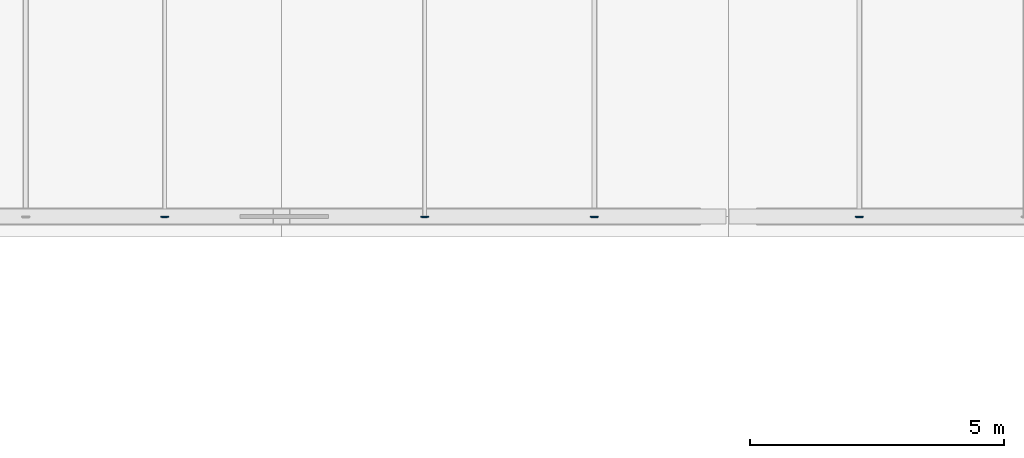
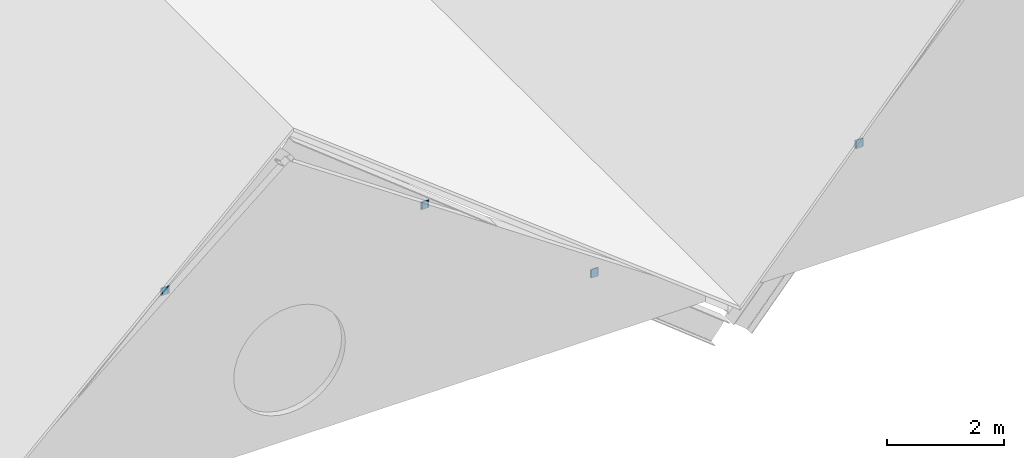
# One storey, part 41 of 64: 8 plates.
"""IFC4 building model written with IfcOpenShell, lengths in metres."""

from ifc_helpers import new_model, si_unit, direction, frame, origin, origin_2d, place, context, subcontext, project, spatial, rectangle, extrude, material, layer, layer_set, type_object, element, save


model = new_model("IFC4")

# Units and contexts
model_context = context("Model", 3, precision=1e-05, world=origin(), true_north=direction((0.0, 1.0)))
body_context = subcontext(model_context, "Body", "Model", "MODEL_VIEW")
ifc_project = project(units=[si_unit("LENGTHUNIT", "METRE"), si_unit("AREAUNIT", "SQUARE_METRE"), si_unit("VOLUMEUNIT", "CUBIC_METRE"), si_unit("PLANEANGLEUNIT", "RADIAN"), si_unit("MASSUNIT", "GRAM", prefix="KILO")], contexts=[model_context])

# Site, building, storey
site_placement = place(None, origin())
site = spatial("IfcSite", under=ifc_project, at=site_placement, CompositionType="ELEMENT")
building_placement = place(site_placement, origin())
building = spatial("IfcBuilding", under=site, at=building_placement, Name="Zhaolan Boulevard Law Courts", CompositionType="ELEMENT")
storey_placement = place(building_placement, frame((0.0, 0.0, 20.39990234375)))
storey = spatial("IfcBuildingStorey", under=building, at=storey_placement, Name="L04", CompositionType="ELEMENT", Elevation=20.39990234375)

# Plates
ifc_material = material(Name="Structural steel Q355B", Category="steel")
ifc_layer = layer(ifc_material, 0.02001953125)
ifc_layer_set = layer_set([ifc_layer])
plate_type = type_object("IfcPlateType", Name="END CAP PLATE 20", PredefinedType="SHEET", material=ifc_layer_set)
for number, where, z_axis, x_axis, name in (
    (1, (81.360107421875, 62.0, 1.376953125), (0.0, 0.0, 1.0), (1.0, 0.0, 0.0), "Purlin End-Cap Plate ECP-GPR2ES"),
    (2, (72.89599609375, 62.0, 3.9609375), (0.0, 0.0, 1.0), (1.0, 0.0, 0.0), "Purlin End-Cap Plate ECP-GPR2WS"),
    (3, (78.01611328125, 62.0, 3.9609375), (0.0, 0.0, 1.0), (1.0, 0.0, 0.0), "Purlin End-Cap Plate ECP-GPR2ES"),
    (4, (86.580078125, 62.0, 2.24609375), (0.0, 0.0, 1.0), (1.0, 0.0, 0.0), "Purlin End-Cap Plate ECP-GPR3WS"),
):
    element("IfcPlate", number, at=place(storey_placement, frame(where, z_axis=z_axis, x_axis=x_axis)), inside=storey, type_object=plate_type, Name=name, PredefinedType="SHEET", context=body_context, shape_type="SweptSolid", body=[
        extrude(rectangle(XDim=0.159912109375, YDim=0.02001953125, at=origin_2d()), origin(), (0.0, 0.0, 1.0), 0.159912109375),
    ])
plate_1_placement = place(storey_placement, frame((81.360107421875, 61.991943359375, 1.3671875), z_axis=(0.0, 0.0, 1.0), x_axis=(0.0, 1.0, 0.0)))
element("IfcPlate", 5, at=plate_1_placement, inside=storey, type_object=plate_type, Name="Hollow Section End-Cap Plate ECP-1435", PredefinedType="SHEET", context=body_context, shape_type="SweptSolid", body=[
    extrude(rectangle(XDim=0.02001953125, YDim=0.1298828125, at=origin_2d()), origin(), (0.0, 0.0, 1.0), 0.179931640625),
])
for number, where, z_axis, x_axis, name in (
    (6, (72.89599609375, 61.991943359375, 3.966064453125), (0.0, 0.0, 1.0), (0.0, 1.0, 0.0), "Hollow Section End-Cap Plate ECP-1437"),
    (7, (78.01611328125, 61.991943359375, 3.966064453125), (0.0, 0.0, 1.0), (0.0, 1.0, 0.0), "Hollow Section End-Cap Plate ECP-1439"),
):
    element("IfcPlate", number, at=place(storey_placement, frame(where, z_axis=z_axis, x_axis=x_axis)), inside=storey, type_object=plate_type, Name=name, PredefinedType="SHEET", context=body_context, shape_type="SweptSolid", body=[
        extrude(rectangle(XDim=0.02001953125, YDim=0.110107421875, at=origin_2d()), origin(), (0.0, 0.0, 1.0), 0.14990234375),
    ])
plate_2_placement = place(storey_placement, frame((86.580078125, 61.991943359375, 2.236328125), z_axis=(0.0, 0.0, 1.0), x_axis=(0.0, 1.0, 0.0)))
element("IfcPlate", 8, at=plate_2_placement, inside=storey, type_object=plate_type, Name="Hollow Section End-Cap Plate ECP-1441", PredefinedType="SHEET", context=body_context, shape_type="SweptSolid", body=[
    extrude(rectangle(XDim=0.02001953125, YDim=0.1298828125, at=origin_2d()), origin(), (0.0, 0.0, 1.0), 0.179931640625),
])

save(model, "model.ifc")
